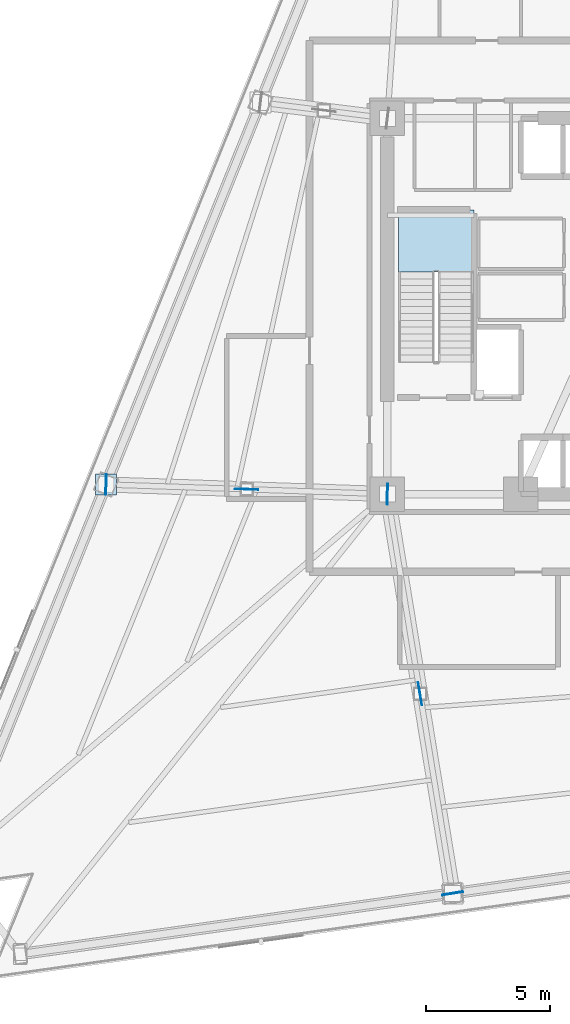
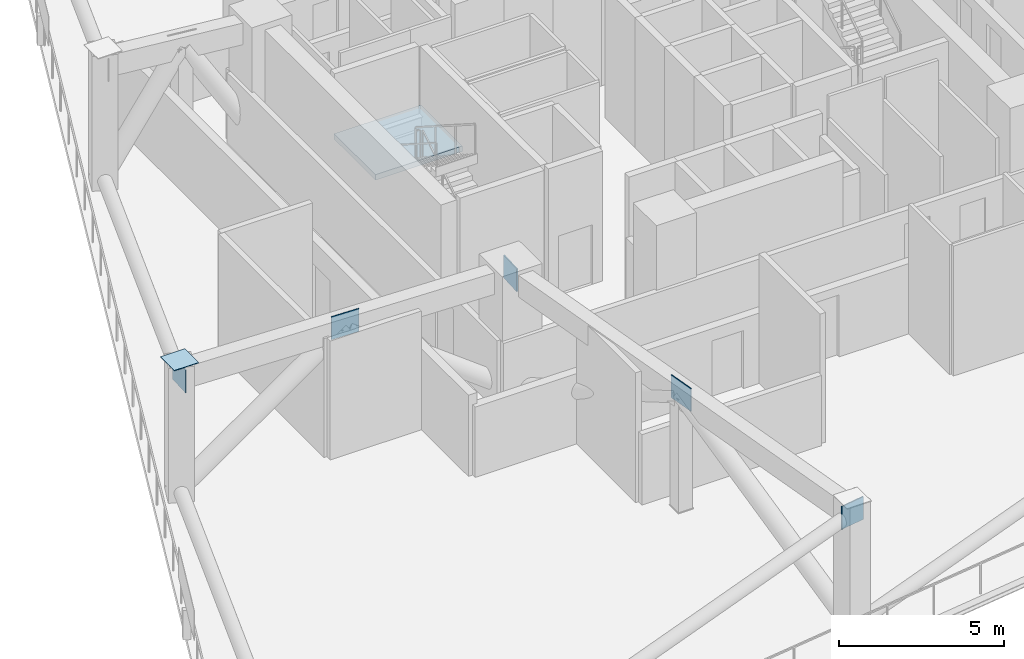
# One storey, part 3 of 13: 6 plates, 1 slab, 1 element without a shape of its own.
"""IFC4 building model written with IfcOpenShell, lengths in metres."""

import ifcopenshell
import ifcopenshell.guid

model = None  # the IFC model being written
_history = None  # IfcOwnerHistory: only IFC2X3 demands one
_inside = {}  # id of a spatial element -> (the spatial element, [elements in it])
_under = {}  # id of a project, library or spatial element -> (it, [spatial elements below it])
_declared = {}  # id of a project -> (the project, [libraries it declares])
_typed = {}  # id of a type object -> (the type object, [elements of that type])
_made_of = {}  # id of a material, layer set ... -> (it, [elements and type objects made of it])


def new_model(schema):
    """Start an empty IFC model of exactly this schema.

    Asked for "IFC4X3", IfcOpenShell would pick the latest addendum, in which some entities
    have other attributes; the version numbers below select the first issue.
    IFC2X3 requires an IfcOwnerHistory on every rooted entity: one is made here for all.
    """
    global model, _history
    if schema == "IFC4X3":
        model = ifcopenshell.file(schema_version=(4, 3, 0, 0))
    else:
        model = ifcopenshell.file(schema=schema)
    _inside.clear()
    _under.clear()
    _declared.clear()
    _typed.clear()
    _made_of.clear()
    _history = None
    if model.schema == "IFC2X3":
        org = make("IfcOrganization", Name="unknown")
        user = make(
            "IfcPersonAndOrganization",
            ThePerson=make("IfcPerson", FamilyName="unknown"),
            TheOrganization=org,
        )
        app = make(
            "IfcApplication",
            ApplicationDeveloper=org,
            Version="unknown",
            ApplicationFullName="unknown",
            ApplicationIdentifier="unknown",
        )
        _history = make(
            "IfcOwnerHistory",
            OwningUser=user,
            OwningApplication=app,
            ChangeAction="ADDED",
            CreationDate=0,
        )
    return model


def make(cls, **values):
    """One entity of the class cls with the attributes given. An attribute that is None is left unset."""
    return model.create_entity(
        cls, **{name: value for name, value in values.items() if value is not None}
    )


def rooted(cls, **values):
    """An entity with a GlobalId (a new one), such as an element, a storey or a relation."""
    return make(cls, GlobalId=ifcopenshell.guid.new(), OwnerHistory=_history, **values)


def si_unit(unit_type, name, prefix=None):
    """IfcSIUnit, for example si_unit("LENGTHUNIT", "METRE", prefix="MILLI")."""
    return make("IfcSIUnit", UnitType=unit_type, Prefix=prefix, Name=name)


def assignment(units):
    """IfcUnitAssignment: the units of a project."""
    return None if units is None else make("IfcUnitAssignment", Units=units)


def point(xyz):
    """IfcCartesianPoint."""
    return None if xyz is None else make("IfcCartesianPoint", Coordinates=xyz)


def direction(xyz):
    """IfcDirection."""
    return None if xyz is None else make("IfcDirection", DirectionRatios=xyz)


def frame(location, z_axis=None, x_axis=None):
    """IfcAxis2Placement3D, a coordinate frame: its origin and axes. An axis left out is left unset."""
    return make(
        "IfcAxis2Placement3D",
        Location=point(location),
        Axis=direction(z_axis),
        RefDirection=direction(x_axis),
    )


def frame_2d(location, x_axis=None):
    """IfcAxis2Placement2D, a coordinate frame in the plane: its origin and x axis."""
    return make(
        "IfcAxis2Placement2D", Location=point(location), RefDirection=direction(x_axis)
    )


def origin():
    """The frame at (0, 0, 0) with its axes left unset."""
    return frame((0.0, 0.0, 0.0))


def origin_2d():
    """The frame at (0, 0) in the plane with its x axis left unset."""
    return frame_2d((0.0, 0.0))


def place(relative_to, where):
    """IfcLocalPlacement: puts the frame where relative to a parent placement (None: the world)."""
    return make(
        "IfcLocalPlacement", PlacementRelTo=relative_to, RelativePlacement=where
    )


def context(
    kind, dimensions, precision=None, world=None, true_north=None, identifier=None
):
    """IfcGeometricRepresentationContext, for example the 3D "Model" context."""
    return make(
        "IfcGeometricRepresentationContext",
        ContextIdentifier=identifier,
        ContextType=kind,
        CoordinateSpaceDimension=dimensions,
        Precision=precision,
        WorldCoordinateSystem=world,
        TrueNorth=true_north,
    )


def subcontext(parent, identifier, kind, view, scale=None):
    """IfcGeometricRepresentationSubContext, for example "Body" below "Model"."""
    return make(
        "IfcGeometricRepresentationSubContext",
        ContextIdentifier=identifier,
        ContextType=kind,
        ParentContext=parent,
        TargetScale=scale,
        TargetView=view,
    )


def project(units=None, contexts=None):
    """IfcProject with its units and contexts."""
    return rooted(
        "IfcProject",
        Name="project",
        RepresentationContexts=contexts,
        UnitsInContext=assignment(units),
    )


def spatial(cls, under=None, at=None, **own):
    """A site, building, storey or space (cls), placed at a placement, below another one or the project."""
    s = rooted(cls, ObjectPlacement=at, **own)
    if under is not None:
        _under.setdefault(under.id(), (under, []))[1].append(s)
    return s


def polyline(points):
    """IfcPolyline through the points."""
    return make("IfcPolyline", Points=[point(p) for p in points])


def profile(cls, at=None, kind="AREA", **sizes):
    """A parametric profile (cls). Its sizes go by their IFC names, for example OverallWidth=200.0."""
    return make(cls, ProfileType=kind, Position=at, **sizes)


def rectangle(**sizes):
    """IfcRectangleProfileDef."""
    return profile("IfcRectangleProfileDef", **sizes)


def outline(outer, holes=None, kind="AREA"):
    """IfcArbitraryClosedProfileDef: a profile drawn as a closed curve; with holes, ...WithVoids."""
    if holes is None:
        return make("IfcArbitraryClosedProfileDef", ProfileType=kind, OuterCurve=outer)
    return make(
        "IfcArbitraryProfileDefWithVoids",
        ProfileType=kind,
        OuterCurve=outer,
        InnerCurves=holes,
    )


def extrude(swept, where, along, depth):
    """IfcExtrudedAreaSolid: the profile swept, set in the frame where, extruded along a direction by depth."""
    return make(
        "IfcExtrudedAreaSolid",
        SweptArea=swept,
        Position=where,
        ExtrudedDirection=direction(along),
        Depth=depth,
    )


def shape(context_of_items, identifier, shape_type, items):
    """IfcShapeRepresentation: the items that make up one representation, for example the "Body"."""
    return make(
        "IfcShapeRepresentation",
        ContextOfItems=context_of_items,
        RepresentationIdentifier=identifier,
        RepresentationType=shape_type,
        Items=items,
    )


def material(Name=None, Category=None):
    """IfcMaterial."""
    return make("IfcMaterial", Name=Name, Category=Category)


def layer(
    of_material, thickness, ventilated=None, Name=None, Category=None, Priority=None
):
    """IfcMaterialLayer: one layer of a wall or slab, of a material (None: an air gap)."""
    return make(
        "IfcMaterialLayer",
        Material=of_material,
        LayerThickness=thickness,
        IsVentilated=ventilated,
        Name=Name,
        Category=Category,
        Priority=Priority,
    )


def layer_set(layers, Name=None):
    """IfcMaterialLayerSet."""
    return make("IfcMaterialLayerSet", MaterialLayers=layers, LayerSetName=Name)


def made_of(thing, what):
    """Note that an element or type object is made of a material, layer set ...; save() writes the relation."""
    if what is not None:
        _made_of.setdefault(what.id(), (what, []))[1].append(thing)
    return thing


def type_object(cls, material=None, **own):
    """A type object (cls), such as IfcWallType, which elements share."""
    return made_of(rooted(cls, **own), material)


def element(
    cls,
    number,
    at=None,
    inside=None,
    cuts=None,
    type_object=None,
    material=None,
    context=None,
    identifier="Body",
    shape_type=None,
    held_by="IfcProductDefinitionShape",
    body=None,
    shapes=None,
    **own,
):
    """One element of the class cls, such as IfcWall. Its Tag is "e" and its number.

    at: its placement. inside: the storey or other place that contains it. cuts: it is an
    opening in that element (IfcRelVoidsElement). A single representation is given by context,
    identifier, shape_type and body (its items); several are given by shapes. held_by: the class
    of the entity that holds the representations. save() writes the other relations.
    """
    e = rooted(cls, Tag="e%d" % number, ObjectPlacement=at, **own)
    if body is not None:
        shapes = [shape(context, identifier, shape_type, body)]
    if shapes is not None:
        e.Representation = make(held_by, Representations=shapes)
    if inside is not None:
        _inside.setdefault(inside.id(), (inside, []))[1].append(e)
    if cuts is not None:
        rooted(
            "IfcRelVoidsElement", RelatingBuildingElement=cuts, RelatedOpeningElement=e
        )
    if type_object is not None:
        _typed.setdefault(type_object.id(), (type_object, []))[1].append(e)
    return made_of(e, material)


def aggregate(whole, parts):
    """IfcRelAggregates: a whole, such as a stair, and the parts it consists of."""
    return rooted("IfcRelAggregates", RelatingObject=whole, RelatedObjects=parts)


def save(model, path):
    """Write the relations noted so far, then the file.

    IfcRelAggregates (storeys below a building ...), IfcRelContainedInSpatialStructure (elements
    in a storey), IfcRelDefinesByType, IfcRelAssociatesMaterial and IfcRelDeclares: one each for
    every whole, place, type object, material and project.
    """
    for whole, parts in _under.values():
        aggregate(whole, parts)
    for where, things in _inside.values():
        rooted(
            "IfcRelContainedInSpatialStructure",
            RelatedElements=things,
            RelatingStructure=where,
        )
    for kind, things in _typed.values():
        rooted("IfcRelDefinesByType", RelatedObjects=things, RelatingType=kind)
    for what, things in _made_of.values():
        rooted("IfcRelAssociatesMaterial", RelatedObjects=things, RelatingMaterial=what)
    for by, libraries in _declared.values():
        rooted("IfcRelDeclares", RelatingContext=by, RelatedDefinitions=libraries)
    model.write(path)


model = new_model("IFC4")

# Units and contexts
model_context = context("Model", 3, precision=1e-05, world=origin(), true_north=direction((0.0, 1.0)))
body_context = subcontext(model_context, "Body", "Model", "MODEL_VIEW")
ifc_project = project(units=[si_unit("LENGTHUNIT", "METRE"), si_unit("AREAUNIT", "SQUARE_METRE"), si_unit("VOLUMEUNIT", "CUBIC_METRE"), si_unit("PLANEANGLEUNIT", "RADIAN"), si_unit("MASSUNIT", "GRAM", prefix="KILO")], contexts=[model_context])

# Site, building, storey
site_placement = place(None, origin())
site = spatial("IfcSite", under=ifc_project, at=site_placement, CompositionType="ELEMENT")
building_placement = place(site_placement, origin())
building = spatial("IfcBuilding", under=site, at=building_placement, Name="Tharavind Bronze Gate", CompositionType="ELEMENT")
storey_placement = place(building_placement, frame((0.0, 0.0, 81.10009765625)))
storey = spatial("IfcBuildingStorey", under=building, at=storey_placement, Name="L20", CompositionType="ELEMENT", Elevation=81.10009765625)

# Stair, slab
ifc_material_1 = material(Name="Concrete C40/50", Category="concrete")
stair_type = type_object("IfcStairType", Name="CORE HALF TURN STAIR 1450", PredefinedType="HALF_TURN_STAIR", material=ifc_material_1)
stair_placement = place(storey_placement, origin())
stair = element("IfcStair", 1, at=stair_placement, inside=storey, type_object=stair_type, Name="L20 Protected Exit Stair ST1", PredefinedType="HALF_TURN_STAIR")
ifc_layer_1 = layer(ifc_material_1, 0.199951171875)
ifc_layer_set_1 = layer_set([ifc_layer_1], Name="Concrete C40/50")
slab_type = type_object("IfcSlabType", Name="STAIR LANDING SLAB 200", PredefinedType="LANDING", material=ifc_layer_set_1)
slab_placement = place(storey_placement, frame((0.0, 0.0, 2.2998046875)))
slab = element("IfcSlab", 2, at=slab_placement, type_object=slab_type, Name="ST1 landing 1", PredefinedType="LANDING", context=body_context, shape_type="SweptSolid", body=[
    extrude(outline(polyline([(-5.39990234375, 1.389892578125), (-5.39990234375, 3.89990234375), (-8.449951171875, 3.89990234375), (-8.449951171875, 1.389892578125), (-5.39990234375, 1.389892578125)])), origin(), (0.0, 0.0, 1.0), 0.2001953125),
])
aggregate(stair, [slab])

# Plates
ifc_material_2 = material(Name="Steel S460", Category="steel")
ifc_layer_2 = layer(ifc_material_2, 0.02490234375)
ifc_layer_set_2 = layer_set([ifc_layer_2], Name="Steel S460")
plate_type_1 = type_object("IfcPlateType", Name="STEEL END CAP SHEET 25", PredefinedType="SHEET", material=ifc_layer_set_2)
plate_placement = place(storey_placement, frame((-20.28076171875, -7.212890625, 4.987548828125), z_axis=(0.0, 0.0, 1.0), x_axis=(1.0, 0.0, 0.0)))
element("IfcPlate", 3, at=plate_placement, inside=storey, type_object=plate_type_1, Name="Steel end cap plate CAP-COLT-L20-S1C3", PredefinedType="SHEET", context=body_context, shape_type="SweptSolid", body=[
    extrude(rectangle(XDim=0.844970703125, YDim=0.844970703125, at=origin_2d()), origin(), (0.0, 0.0, 1.0), 0.02490234375),
])
for number, where, z_axis, x_axis, name in (
    (4, (-8.89990234375, -7.60009765625, 4.03759765625), (0.0, 0.0, 1.0), (-0.999422326489, 0.033985486827, 0.0), "Steel end cap plate CAP-L20-OCH2A"),
    (5, (-20.28076171875, -7.212890625, 4.03759765625), (0.0, 0.0, 1.0), (-0.999422326489, 0.033985486827, 0.0), "Steel end cap plate CAP-L20-OCH2B"),
    (6, (-6.25732421875, -23.75537109375, 4.03759765625), (0.0, 0.0, 1.0), (-0.16142985739, 0.986884188313, 0.0), "Steel end cap plate CAP-L20-OCH3B"),
):
    element("IfcPlate", number, at=place(storey_placement, frame(where, z_axis=z_axis, x_axis=x_axis)), inside=storey, type_object=plate_type_1, Name=name, PredefinedType="SHEET", context=body_context, shape_type="SweptSolid", body=[
        extrude(rectangle(XDim=0.0400390625, YDim=0.844970703125, at=origin_2d()), origin(), (0.0, 0.0, 1.0), 0.844970703125),
    ])
ifc_layer_3 = layer(ifc_material_2, 0.028076171875)
ifc_layer_set_3 = layer_set([ifc_layer_3], Name="Steel S460")
plate_type_2 = type_object("IfcPlateType", Name="STEEL NODE GUSSET PLATE 28", PredefinedType="USERDEFINED", material=ifc_layer_set_3)
for number, where, z_axis, x_axis, name in (
    (7, (-14.59033203125, -7.406494140625, 4.034912109375), (0.0, 0.0, 1.0), (-0.999422326489, 0.033985486827, 0.0), "Node N1 outrigger truss gusset plate 2"),
    (8, (-7.57861328125, -15.677490234375, 4.034912109375), (0.0, 0.0, 1.0), (-0.16142985739, 0.986884188313, 0.0), "Node N1 outrigger truss gusset plate 3"),
):
    element("IfcPlate", number, at=place(storey_placement, frame(where, z_axis=z_axis, x_axis=x_axis)), inside=storey, type_object=plate_type_2, Name=name, ObjectType="GUSSET PLATE", PredefinedType="USERDEFINED", context=body_context, shape_type="SweptSolid", body=[
        extrude(rectangle(XDim=0.949951171875, YDim=0.028076171875, at=origin_2d()), origin(), (0.0, 0.0, 1.0), 0.85009765625),
    ])

save(model, "model.ifc")
